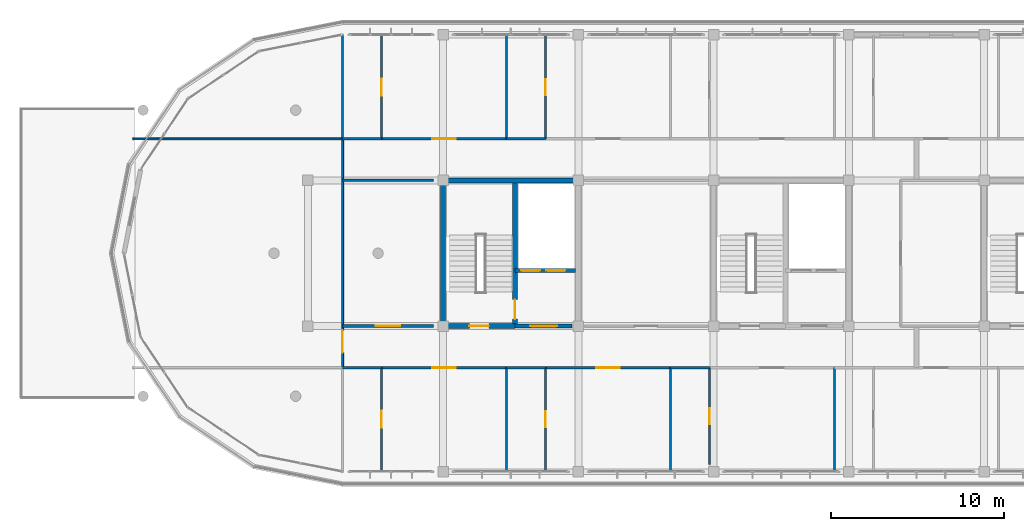
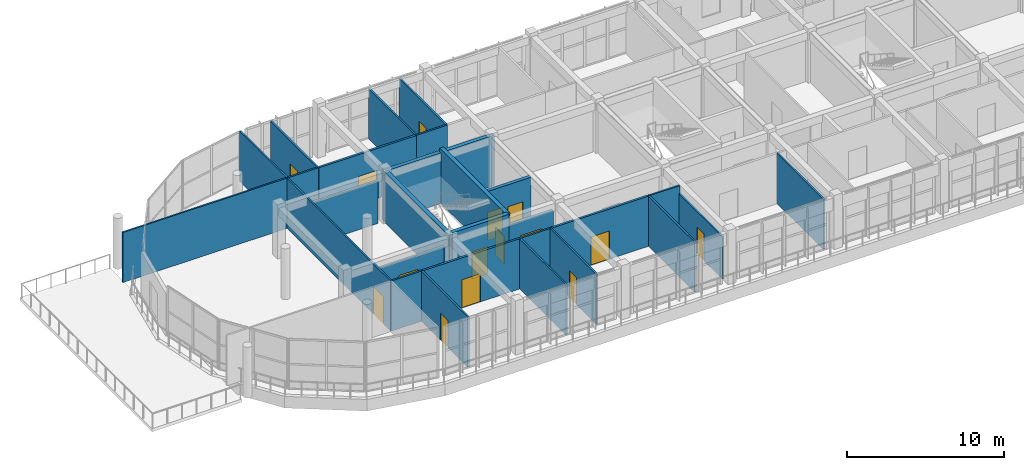
# One storey, part 42 of 50: 28 walls, 15 doors, 15 openings.
"""IFC4 building model written with IfcOpenShell, lengths in metres."""

from ifc_helpers import new_model, si_unit, direction, frame, frame_2d, origin, place, context, subcontext, project, spatial, rectangle, extrude, material, layer, layer_set, type_object, element, fill, save


model = new_model("IFC4")

# Units and contexts
model_context = context("Model", 3, precision=1e-05, world=origin(), true_north=direction((0.0, 1.0)))
body_context = subcontext(model_context, "Body", "Model", "MODEL_VIEW")
ifc_project = project(units=[si_unit("LENGTHUNIT", "METRE"), si_unit("AREAUNIT", "SQUARE_METRE"), si_unit("VOLUMEUNIT", "CUBIC_METRE"), si_unit("PLANEANGLEUNIT", "RADIAN"), si_unit("MASSUNIT", "GRAM", prefix="KILO")], contexts=[model_context])

# Site, building, storey
site_placement = place(None, origin())
site = spatial("IfcSite", under=ifc_project, at=site_placement, CompositionType="ELEMENT")
building_placement = place(site_placement, origin())
building = spatial("IfcBuilding", under=site, at=building_placement, Name="Zizhar Promenade General Hospital", CompositionType="ELEMENT")
storey_placement = place(building_placement, frame((0.0, 0.0, 30.60009765625)))
storey = spatial("IfcBuildingStorey", under=building, at=storey_placement, Name="L07", CompositionType="ELEMENT", Elevation=30.60009765625)

# Wall, opening, door
ifc_material_1 = material(Name="Concrete C35/45", Category="concrete")
ifc_layer_1 = layer(ifc_material_1, 0.215087890625)
ifc_layer_set_1 = layer_set([ifc_layer_1], Name="Concrete C35/45")
wall_type_1 = type_object("IfcWallType", Name="IW-LOBBY-215", PredefinedType="STANDARD", material=ifc_layer_set_1)
wall_1_placement = place(storey_placement, frame((50.949951171875, 8.39990234375, 0.0), z_axis=(0.0, 0.0, 1.0), x_axis=(1.0, 0.0, 0.0)))
wall_1 = element("IfcWall", 1, at=wall_1_placement, inside=storey, type_object=wall_type_1, Name="Core C2 Lift Lobby South Fire Wall (L07)", PredefinedType="STANDARD", context=body_context, shape_type="SweptSolid", body=[
    extrude(rectangle(XDim=3.2900390625, YDim=0.215087890625, at=frame_2d((1.64501953125, 0.0))), origin(), (0.0, 0.0, 1.0), 3.304931640625),
])
opening_1_placement = place(wall_1_placement, frame((0.864990234375, 0.0, 0.0)))
opening_1 = element("IfcOpeningElement", 2, at=opening_1_placement, cuts=wall_1, Name="Opening D-22", PredefinedType="OPENING", context=body_context, shape_type="SweptSolid", body=[
    extrude(rectangle(XDim=1.56005859375, YDim=2.199951171875, at=frame_2d((0.780029296875, 1.10009765625))), frame((0.0, 0.11767578125, 0.0), z_axis=(0.0, -1.0, 0.0), x_axis=(1.0, 0.0, 0.0)), (0.0, 0.0, 1.0), 0.235107421875),
])
ifc_material_2 = material(Name="Steel S355 firefighting lobby pair", Category="steel")
door_type_1 = type_object("IfcDoorType", Name="DR-LOBBY-FF-156x220", OperationType="DOUBLE_DOOR_SINGLE_SWING", PredefinedType="DOOR", material=ifc_material_2)
door_1_placement = place(opening_1_placement, origin())
door_1 = element("IfcDoor", 3, at=door_1_placement, inside=storey, type_object=door_type_1, Name="Core C2 Firefighting Lift Lobby Door (L07)", OperationType="DOUBLE_DOOR_SINGLE_SWING", OverallHeight=2.199951171875, OverallWidth=1.56005859375, PredefinedType="DOOR", context=body_context, shape_type="SweptSolid", body=[
    extrude(rectangle(XDim=1.56005859375, YDim=2.199951171875, at=frame_2d((0.780029296875, 1.10009765625))), frame((0.0, 0.02490234375, 0.0), z_axis=(0.0, -1.0, 0.0), x_axis=(1.0, 0.0, 0.0)), (0.0, 0.0, 1.0), 0.050048828125),
])
fill(opening_1, door_1)

# Wall, openings, doors
ifc_material_3 = material(Name="Concrete C35/45", Category="concrete")
ifc_layer_2 = layer(ifc_material_3, 0.25)
ifc_layer_set_2 = layer_set([ifc_layer_2], Name="Concrete C35/45")
wall_type_2 = type_object("IfcWallType", Name="IW-SHAFT-250", PredefinedType="STANDARD", material=ifc_layer_set_2)
wall_2_placement = place(storey_placement, frame((50.949951171875, 11.60009765625, 0.0), z_axis=(0.0, 0.0, 1.0), x_axis=(1.0, 0.0, 0.0)))
wall_2 = element("IfcWall", 4, at=wall_2_placement, inside=storey, type_object=wall_type_2, Name="Core C2 Lift Shaft Landing Wall (L07)", PredefinedType="STANDARD", context=body_context, shape_type="SweptSolid", body=[
    extrude(rectangle(XDim=3.5, YDim=0.25, at=frame_2d((1.75, 0.0))), origin(), (0.0, 0.0, 1.0), 3.89990234375),
])
opening_2_placement = place(wall_2_placement, frame((0.35009765625, 0.0, 0.0)))
opening_2 = element("IfcOpeningElement", 5, at=opening_2_placement, cuts=wall_2, Name="Opening LD-11", PredefinedType="OPENING", context=body_context, shape_type="SweptSolid", body=[
    extrude(rectangle(XDim=1.10009765625, YDim=2.199951171875, at=frame_2d((0.550048828125, 1.10009765625))), frame((0.0, 0.135009765625, 0.0), z_axis=(0.0, -1.0, 0.0), x_axis=(1.0, 0.0, 0.0)), (0.0, 0.0, 1.0), 0.27001953125),
])
opening_3_placement = place(wall_2_placement, frame((1.800048828125, 0.0, 0.0)))
opening_3 = element("IfcOpeningElement", 6, at=opening_3_placement, cuts=wall_2, Name="Opening LD-11", PredefinedType="OPENING", context=body_context, shape_type="SweptSolid", body=[
    extrude(rectangle(XDim=1.10009765625, YDim=2.199951171875, at=frame_2d((0.550048828125, 1.10009765625))), frame((0.0, 0.135009765625, 0.0), z_axis=(0.0, -1.0, 0.0), x_axis=(1.0, 0.0, 0.0)), (0.0, 0.0, 1.0), 0.27001953125),
])
ifc_material_4 = material(Name="Stainless Steel S355 passenger lift landing door", Category="steel")
door_type_2 = type_object("IfcDoorType", Name="DR-LIFT-LD11", OperationType="SLIDING_TO_LEFT", PredefinedType="DOOR", material=ifc_material_4)
door_2_placement = place(opening_2_placement, origin())
door_2 = element("IfcDoor", 7, at=door_2_placement, inside=storey, type_object=door_type_2, Name="Lift LF-01 Sliding Landing Door (L07)", OperationType="SLIDING_TO_LEFT", OverallHeight=2.199951171875, OverallWidth=1.10009765625, PredefinedType="DOOR", context=body_context, shape_type="SweptSolid", body=[
    extrude(rectangle(XDim=1.10009765625, YDim=2.199951171875, at=frame_2d((0.550048828125, 1.10009765625))), frame((0.0, 0.02490234375, 0.0), z_axis=(0.0, -1.0, 0.0), x_axis=(1.0, 0.0, 0.0)), (0.0, 0.0, 1.0), 0.050048828125),
])
fill(opening_2, door_2)
door_3_placement = place(opening_3_placement, origin())
door_3 = element("IfcDoor", 8, at=door_3_placement, inside=storey, type_object=door_type_2, Name="Lift LB-01 Sliding Landing Door (L07)", OperationType="SLIDING_TO_LEFT", OverallHeight=2.199951171875, OverallWidth=1.10009765625, PredefinedType="DOOR", context=body_context, shape_type="SweptSolid", body=[
    extrude(rectangle(XDim=1.10009765625, YDim=2.199951171875, at=frame_2d((0.550048828125, 1.10009765625))), frame((0.0, 0.02490234375, 0.0), z_axis=(0.0, -1.0, 0.0), x_axis=(1.0, 0.0, 0.0)), (0.0, 0.0, 1.0), 0.050048828125),
])
fill(opening_3, door_3)

# Wall
ifc_material_5 = material(Name="Clean utility gypsum partition")
ifc_layer_3 = layer(ifc_material_5, 0.114990234375)
ifc_layer_set_3 = layer_set([ifc_layer_3], Name="Clean utility gypsum partition")
wall_type_3 = type_object("IfcWallType", Name="IW-STR-115", PredefinedType="PARTITIONING", material=ifc_layer_set_3)
wall_3_placement = place(storey_placement, frame((28.89990234375, 19.199951171875, 0.0), z_axis=(0.0, 0.0, 1.0), x_axis=(1.0, 0.0, 0.0)))
element("IfcWall", 9, at=wall_3_placement, inside=storey, type_object=wall_type_3, Name="West Patient Recovery Solarium L07 N Partition", PredefinedType="PARTITIONING", context=body_context, shape_type="SweptSolid", body=[
    extrude(rectangle(XDim=12.10009765625, YDim=0.114990234375, at=frame_2d((6.050048828125, 0.0))), origin(), (0.0, 0.0, 1.0), 3.89990234375),
])

# Wall, opening, door
wall_4_placement = place(storey_placement, frame((41.0, 6.0, 0.0), z_axis=(0.0, 0.0, 1.0), x_axis=(0.0, 1.0, 0.0)))
wall_4 = element("IfcWall", 10, at=wall_4_placement, inside=storey, type_object=wall_type_3, Name="West Patient Recovery Solarium L07 E Partition", PredefinedType="PARTITIONING", context=body_context, shape_type="SweptSolid", body=[
    extrude(rectangle(XDim=13.199951171875, YDim=0.114990234375, at=frame_2d((6.60009765625, 0.0))), origin(), (0.0, 0.0, 1.0), 3.89990234375),
])
opening_4_placement = place(wall_4_placement, frame((0.85009765625, 0.0, 0.0)))
opening_4 = element("IfcOpeningElement", 11, at=opening_4_placement, cuts=wall_4, Name="Opening D-26", PredefinedType="OPENING", context=body_context, shape_type="SweptSolid", body=[
    extrude(rectangle(XDim=1.320068359375, YDim=2.14990234375, at=frame_2d((0.66015625, 1.074951171875))), frame((0.0, 0.0673828125, 0.0), z_axis=(0.0, -1.0, 0.0), x_axis=(1.0, 0.0, 0.0)), (0.0, 0.0, 1.0), 0.135009765625),
])
ifc_material_6 = material(Name="Fire-rated timber store leaf", Category="wood")
door_type_3 = type_object("IfcDoorType", Name="DR-STORE-132x215", OperationType="NOTDEFINED", PredefinedType="DOOR", material=ifc_material_6)
door_4_placement = place(opening_4_placement, origin())
door_4 = element("IfcDoor", 12, at=door_4_placement, inside=storey, type_object=door_type_3, Name="West Patient Recovery Solarium L07 Door", OperationType="SINGLE_SWING_RIGHT", OverallHeight=2.14990234375, OverallWidth=1.320068359375, PredefinedType="DOOR", context=body_context, shape_type="SweptSolid", body=[
    extrude(rectangle(XDim=1.320068359375, YDim=2.14990234375, at=frame_2d((0.66015625, 1.074951171875))), frame((0.0, 0.02490234375, 0.0), z_axis=(0.0, -1.0, 0.0), x_axis=(1.0, 0.0, 0.0)), (0.0, 0.0, 1.0), 0.050048828125),
])
fill(opening_4, door_4)

ifc_material_7 = material(Name="Acoustic patient bedroom partition")
ifc_layer_4 = layer(ifc_material_7, 0.155029296875)
ifc_layer_set_4 = layer_set([ifc_layer_4], Name="Acoustic patient bedroom partition")
wall_type_4 = type_object("IfcWallType", Name="IW-WARD-155", PredefinedType="PARTITIONING", material=ifc_layer_set_4)
wall_5_placement = place(storey_placement, frame((43.260009765625, 6.0, 0.0), z_axis=(0.0, 0.0, 1.0), x_axis=(1.0, 0.0, 0.0)))
wall_5 = element("IfcWall", 13, at=wall_5_placement, inside=storey, type_object=wall_type_4, Name="Maternity Inpatient Ward L07-S01 N Partition", PredefinedType="PARTITIONING", context=body_context, shape_type="SweptSolid", body=[
    extrude(rectangle(XDim=7.18701171875, YDim=0.155029296875, at=frame_2d((3.593505859375, 0.0))), origin(), (0.0, 0.0, 1.0), 3.89990234375),
])
opening_5_placement = place(wall_5_placement, frame((2.91845703125, 0.0, 0.0)))
opening_5 = element("IfcOpeningElement", 14, at=opening_5_placement, cuts=wall_5, Name="Opening D-08", PredefinedType="OPENING", context=body_context, shape_type="SweptSolid", body=[
    extrude(rectangle(XDim=1.35009765625, YDim=2.199951171875, at=frame_2d((0.675048828125, 1.10009765625))), frame((0.0, 0.08740234375, 0.0), z_axis=(0.0, -1.0, 0.0), x_axis=(1.0, 0.0, 0.0)), (0.0, 0.0, 1.0), 0.175048828125),
])
ifc_material_8 = material(Name="Fire-rated timber maternity bed leaf", Category="wood")
door_type_4 = type_object("IfcDoorType", Name="DR-BED-MAT-135x220", OperationType="NOTDEFINED", PredefinedType="DOOR", material=ifc_material_8)
door_5_placement = place(opening_5_placement, origin())
door_5 = element("IfcDoor", 15, at=door_5_placement, inside=storey, type_object=door_type_4, Name="Maternity Inpatient Ward L07-S01 Door", OperationType="SINGLE_SWING_RIGHT", OverallHeight=2.199951171875, OverallWidth=1.35009765625, PredefinedType="DOOR", context=body_context, shape_type="SweptSolid", body=[
    extrude(rectangle(XDim=1.35009765625, YDim=2.199951171875, at=frame_2d((0.675048828125, 1.10009765625))), frame((0.0, 0.02490234375, 0.0), z_axis=(0.0, -1.0, 0.0), x_axis=(1.0, 0.0, 0.0)), (0.0, 0.0, 1.0), 0.050048828125),
])
fill(opening_5, door_5)

wall_6_placement = place(storey_placement, frame((43.260009765625, 19.199951171875, 0.0), z_axis=(0.0, 0.0, 1.0), x_axis=(1.0, 0.0, 0.0)))
wall_6 = element("IfcWall", 16, at=wall_6_placement, inside=storey, type_object=wall_type_4, Name="Maternity Inpatient Ward L07-N01 S Partition", PredefinedType="PARTITIONING", context=body_context, shape_type="SweptSolid", body=[
    extrude(rectangle(XDim=7.18701171875, YDim=0.155029296875, at=frame_2d((3.593505859375, 0.0))), origin(), (0.0, 0.0, 1.0), 3.89990234375),
])
opening_6_placement = place(wall_6_placement, frame((2.91845703125, 0.0, 0.0)))
opening_6 = element("IfcOpeningElement", 17, at=opening_6_placement, cuts=wall_6, Name="Opening D-08", PredefinedType="OPENING", context=body_context, shape_type="SweptSolid", body=[
    extrude(rectangle(XDim=1.35009765625, YDim=2.199951171875, at=frame_2d((0.675048828125, 1.10009765625))), frame((0.0, 0.08740234375, 0.0), z_axis=(0.0, -1.0, 0.0), x_axis=(1.0, 0.0, 0.0)), (0.0, 0.0, 1.0), 0.175048828125),
])
door_6_placement = place(opening_6_placement, origin())
door_6 = element("IfcDoor", 18, at=door_6_placement, inside=storey, type_object=door_type_4, Name="Maternity Inpatient Ward L07-N01 Door", OperationType="SINGLE_SWING_LEFT", OverallHeight=2.199951171875, OverallWidth=1.35009765625, PredefinedType="DOOR", context=body_context, shape_type="SweptSolid", body=[
    extrude(rectangle(XDim=1.35009765625, YDim=2.199951171875, at=frame_2d((0.675048828125, 1.10009765625))), frame((0.0, 0.02490234375, 0.0), z_axis=(0.0, -1.0, 0.0), x_axis=(1.0, 0.0, 0.0)), (0.0, 0.0, 1.0), 0.050048828125),
])
fill(opening_6, door_6)

wall_7_placement = place(storey_placement, frame((52.717041015625, 6.0, 0.0), z_axis=(0.0, 0.0, 1.0), x_axis=(1.0, 0.0, 0.0)))
wall_7 = element("IfcWall", 19, at=wall_7_placement, inside=storey, type_object=wall_type_4, Name="Neonatal Care Nursery Suite L07-S02 N Partition", PredefinedType="PARTITIONING", context=body_context, shape_type="SweptSolid", body=[
    extrude(rectangle(XDim=7.18701171875, YDim=0.155029296875, at=frame_2d((3.593505859375, 0.0))), origin(), (0.0, 0.0, 1.0), 3.89990234375),
])
opening_7_placement = place(wall_7_placement, frame((2.91845703125, 0.0, 0.0)))
opening_7 = element("IfcOpeningElement", 20, at=opening_7_placement, cuts=wall_7, Name="Opening D-08", PredefinedType="OPENING", context=body_context, shape_type="SweptSolid", body=[
    extrude(rectangle(XDim=1.35009765625, YDim=2.199951171875, at=frame_2d((0.675048828125, 1.10009765625))), frame((0.0, 0.08740234375, 0.0), z_axis=(0.0, -1.0, 0.0), x_axis=(1.0, 0.0, 0.0)), (0.0, 0.0, 1.0), 0.175048828125),
])
door_7_placement = place(opening_7_placement, origin())
door_7 = element("IfcDoor", 21, at=door_7_placement, inside=storey, type_object=door_type_4, Name="Neonatal Care Nursery Suite L07-S02 Door", OperationType="SINGLE_SWING_RIGHT", OverallHeight=2.199951171875, OverallWidth=1.35009765625, PredefinedType="DOOR", context=body_context, shape_type="SweptSolid", body=[
    extrude(rectangle(XDim=1.35009765625, YDim=2.199951171875, at=frame_2d((0.675048828125, 1.10009765625))), frame((0.0, 0.02490234375, 0.0), z_axis=(0.0, -1.0, 0.0), x_axis=(1.0, 0.0, 0.0)), (0.0, 0.0, 1.0), 0.050048828125),
])
fill(opening_7, door_7)

wall_8_placement = place(storey_placement, frame((41.010009765625, 8.39990234375, 0.0), z_axis=(0.0, 0.0, 1.0), x_axis=(1.0, 0.0, 0.0)))
wall_8 = element("IfcWall", 22, at=wall_8_placement, inside=storey, type_object=wall_type_4, Name="Ward Clinical Examination Room L07 S Partition", PredefinedType="PARTITIONING", context=body_context, shape_type="SweptSolid", body=[
    extrude(rectangle(XDim=5.22998046875, YDim=0.155029296875, at=frame_2d((2.614990234375, 0.0))), origin(), (0.0, 0.0, 1.0), 3.304931640625),
])
opening_8_placement = place(wall_8_placement, frame((1.9150390625, 0.0, 0.0)))
opening_8 = element("IfcOpeningElement", 23, at=opening_8_placement, cuts=wall_8, Name="Opening D-06", PredefinedType="OPENING", context=body_context, shape_type="SweptSolid", body=[
    extrude(rectangle(XDim=1.39990234375, YDim=2.199951171875, at=frame_2d((0.699951171875, 1.10009765625))), frame((0.0, 0.08740234375, 0.0), z_axis=(0.0, -1.0, 0.0), x_axis=(1.0, 0.0, 0.0)), (0.0, 0.0, 1.0), 0.175048828125),
])
ifc_material_9 = material(Name="Fire-rated timber hospital bed leaf", Category="wood")
door_type_5 = type_object("IfcDoorType", Name="DR-BED-WARD-140x220", OperationType="NOTDEFINED", PredefinedType="DOOR", material=ifc_material_9)
door_8_placement = place(opening_8_placement, origin())
door_8 = element("IfcDoor", 24, at=door_8_placement, inside=storey, type_object=door_type_5, Name="Ward Clinical Examination Room L07 Door", OperationType="SINGLE_SWING_RIGHT", OverallHeight=2.199951171875, OverallWidth=1.39990234375, PredefinedType="DOOR", context=body_context, shape_type="SweptSolid", body=[
    extrude(rectangle(XDim=1.39990234375, YDim=2.199951171875, at=frame_2d((0.699951171875, 1.10009765625))), frame((0.0, 0.02490234375, 0.0), z_axis=(0.0, -1.0, 0.0), x_axis=(1.0, 0.0, 0.0)), (0.0, 0.0, 1.0), 0.050048828125),
])
fill(opening_8, door_8)

# Walls
wall_9_placement = place(storey_placement, frame((41.010009765625, 16.800048828125, 0.0), z_axis=(0.0, 0.0, 1.0), x_axis=(1.0, 0.0, 0.0)))
element("IfcWall", 25, at=wall_9_placement, inside=storey, type_object=wall_type_4, Name="Ward Clinical Examination Room L07 N Partition", PredefinedType="PARTITIONING", context=body_context, shape_type="SweptSolid", body=[
    extrude(rectangle(XDim=5.22998046875, YDim=0.155029296875, at=frame_2d((2.614990234375, 0.0))), origin(), (0.0, 0.0, 1.0), 3.304931640625),
])
ifc_material_10 = material(Name="Moisture-resistant en-suite wet partition")
ifc_layer_5 = layer(ifc_material_10, 0.125)
ifc_layer_set_5 = layer_set([ifc_layer_5], Name="Moisture-resistant en-suite wet partition")
wall_type_5 = type_object("IfcWallType", Name="IW-WET-125", PredefinedType="PARTITIONING", material=ifc_layer_set_5)
wall_10_placement = place(storey_placement, frame((41.0, 6.0, 0.0), z_axis=(0.0, 0.0, 1.0), x_axis=(1.0, 0.0, 0.0)))
element("IfcWall", 26, at=wall_10_placement, inside=storey, type_object=wall_type_5, Name="En-Suite Patient Bathroom L07-S01 N Partition", PredefinedType="PARTITIONING", context=body_context, shape_type="SweptSolid", body=[
    extrude(rectangle(XDim=2.25, YDim=0.125, at=frame_2d((1.125, 0.0))), origin(), (0.0, 0.0, 1.0), 3.89990234375),
])

# Wall, opening, door
wall_11_placement = place(storey_placement, frame((43.25, 0.044921875, 0.0), z_axis=(0.0, 0.0, 1.0), x_axis=(0.0, 1.0, 0.0)))
wall_11 = element("IfcWall", 27, at=wall_11_placement, inside=storey, type_object=wall_type_5, Name="En-Suite Patient Bathroom L07-S01 E Partition", PredefinedType="PARTITIONING", context=body_context, shape_type="SweptSolid", body=[
    extrude(rectangle(XDim=5.955078125, YDim=0.125, at=frame_2d((2.9775390625, 0.0))), origin(), (0.0, 0.0, 1.0), 3.89990234375),
])
opening_9_placement = place(wall_11_placement, frame((2.487548828125, 0.0, 0.0)))
opening_9 = element("IfcOpeningElement", 28, at=opening_9_placement, cuts=wall_11, Name="Opening D-17", PredefinedType="OPENING", context=body_context, shape_type="SweptSolid", body=[
    extrude(rectangle(XDim=0.97998046875, YDim=2.10009765625, at=frame_2d((0.489990234375, 1.050048828125))), frame((0.0, 0.072509765625, 0.0), z_axis=(0.0, -1.0, 0.0), x_axis=(1.0, 0.0, 0.0)), (0.0, 0.0, 1.0), 0.14501953125),
])
ifc_material_11 = material(Name="Moisture-resistant timber PMR leaf", Category="wood")
door_type_6 = type_object("IfcDoorType", Name="DR-ENS-PMR-098x210", OperationType="NOTDEFINED", PredefinedType="DOOR", material=ifc_material_11)
door_9_placement = place(opening_9_placement, origin())
door_9 = element("IfcDoor", 29, at=door_9_placement, inside=storey, type_object=door_type_6, Name="En-Suite Patient Bathroom L07-S01 Door", OperationType="SINGLE_SWING_RIGHT", OverallHeight=2.10009765625, OverallWidth=0.97998046875, PredefinedType="DOOR", context=body_context, shape_type="SweptSolid", body=[
    extrude(rectangle(XDim=0.97998046875, YDim=2.10009765625, at=frame_2d((0.489990234375, 1.050048828125))), frame((0.0, 0.02490234375, 0.0), z_axis=(0.0, -1.0, 0.0), x_axis=(1.0, 0.0, 0.0)), (0.0, 0.0, 1.0), 0.050048828125),
])
fill(opening_9, door_9)

# Walls
wall_12_placement = place(storey_placement, frame((41.0, 19.199951171875, 0.0), z_axis=(0.0, 0.0, 1.0), x_axis=(1.0, 0.0, 0.0)))
element("IfcWall", 30, at=wall_12_placement, inside=storey, type_object=wall_type_5, Name="En-Suite Patient Bathroom L07-N01 S Partition", PredefinedType="PARTITIONING", context=body_context, shape_type="SweptSolid", body=[
    extrude(rectangle(XDim=2.25, YDim=0.125, at=frame_2d((1.125, 0.0))), origin(), (0.0, 0.0, 1.0), 3.89990234375),
])
wall_13_placement = place(storey_placement, frame((41.0, 19.199951171875, 0.0), z_axis=(0.0, 0.0, 1.0), x_axis=(0.0, 1.0, 0.0)))
element("IfcWall", 31, at=wall_13_placement, inside=storey, type_object=wall_type_5, Name="En-Suite Patient Bathroom L07-N01 W Partition", PredefinedType="PARTITIONING", context=body_context, shape_type="SweptSolid", body=[
    extrude(rectangle(XDim=5.955078125, YDim=0.125, at=frame_2d((2.9775390625, 0.0))), origin(), (0.0, 0.0, 1.0), 3.89990234375),
])

# Wall, opening, door
wall_14_placement = place(storey_placement, frame((43.25, 19.199951171875, 0.0), z_axis=(0.0, 0.0, 1.0), x_axis=(0.0, 1.0, 0.0)))
wall_14 = element("IfcWall", 32, at=wall_14_placement, inside=storey, type_object=wall_type_5, Name="En-Suite Patient Bathroom L07-N01 E Partition", PredefinedType="PARTITIONING", context=body_context, shape_type="SweptSolid", body=[
    extrude(rectangle(XDim=5.955078125, YDim=0.125, at=frame_2d((2.9775390625, 0.0))), origin(), (0.0, 0.0, 1.0), 3.89990234375),
])
opening_10_placement = place(wall_14_placement, frame((2.487548828125, 0.0, 0.0)))
opening_10 = element("IfcOpeningElement", 33, at=opening_10_placement, cuts=wall_14, Name="Opening D-17", PredefinedType="OPENING", context=body_context, shape_type="SweptSolid", body=[
    extrude(rectangle(XDim=0.97998046875, YDim=2.10009765625, at=frame_2d((0.489990234375, 1.050048828125))), frame((0.0, 0.072509765625, 0.0), z_axis=(0.0, -1.0, 0.0), x_axis=(1.0, 0.0, 0.0)), (0.0, 0.0, 1.0), 0.14501953125),
])
door_10_placement = place(opening_10_placement, origin())
door_10 = element("IfcDoor", 34, at=door_10_placement, inside=storey, type_object=door_type_6, Name="En-Suite Patient Bathroom L07-N01 Door", OperationType="SINGLE_SWING_LEFT", OverallHeight=2.10009765625, OverallWidth=0.97998046875, PredefinedType="DOOR", context=body_context, shape_type="SweptSolid", body=[
    extrude(rectangle(XDim=0.97998046875, YDim=2.10009765625, at=frame_2d((0.489990234375, 1.050048828125))), frame((0.0, 0.02490234375, 0.0), z_axis=(0.0, -1.0, 0.0), x_axis=(1.0, 0.0, 0.0)), (0.0, 0.0, 1.0), 0.050048828125),
])
fill(opening_10, door_10)

# Walls
wall_15_placement = place(storey_placement, frame((50.45703125, 6.0, 0.0), z_axis=(0.0, 0.0, 1.0), x_axis=(1.0, 0.0, 0.0)))
element("IfcWall", 35, at=wall_15_placement, inside=storey, type_object=wall_type_5, Name="En-Suite Patient Bathroom L07-S02 N Partition", PredefinedType="PARTITIONING", context=body_context, shape_type="SweptSolid", body=[
    extrude(rectangle(XDim=2.25, YDim=0.125, at=frame_2d((1.125, 0.0))), origin(), (0.0, 0.0, 1.0), 3.89990234375),
])
wall_16_placement = place(storey_placement, frame((50.45703125, 0.044921875, 0.0), z_axis=(0.0, 0.0, 1.0), x_axis=(0.0, 1.0, 0.0)))
element("IfcWall", 36, at=wall_16_placement, inside=storey, type_object=wall_type_5, Name="En-Suite Patient Bathroom L07-S02 W Partition", PredefinedType="PARTITIONING", context=body_context, shape_type="SweptSolid", body=[
    extrude(rectangle(XDim=5.955078125, YDim=0.125, at=frame_2d((2.9775390625, 0.0))), origin(), (0.0, 0.0, 1.0), 3.89990234375),
])

# Wall, opening, door
wall_17_placement = place(storey_placement, frame((52.70703125, 0.044921875, 0.0), z_axis=(0.0, 0.0, 1.0), x_axis=(0.0, 1.0, 0.0)))
wall_17 = element("IfcWall", 37, at=wall_17_placement, inside=storey, type_object=wall_type_5, Name="En-Suite Patient Bathroom L07-S02 E Partition", PredefinedType="PARTITIONING", context=body_context, shape_type="SweptSolid", body=[
    extrude(rectangle(XDim=5.955078125, YDim=0.125, at=frame_2d((2.9775390625, 0.0))), origin(), (0.0, 0.0, 1.0), 3.89990234375),
])
opening_11_placement = place(wall_17_placement, frame((2.517578125, 0.0, 0.0)))
opening_11 = element("IfcOpeningElement", 38, at=opening_11_placement, cuts=wall_17, Name="Opening D-18", PredefinedType="OPENING", context=body_context, shape_type="SweptSolid", body=[
    extrude(rectangle(XDim=0.919921875, YDim=2.10009765625, at=frame_2d((0.4599609375, 1.050048828125))), frame((0.0, 0.072509765625, 0.0), z_axis=(0.0, -1.0, 0.0), x_axis=(1.0, 0.0, 0.0)), (0.0, 0.0, 1.0), 0.14501953125),
])
ifc_material_12 = material(Name="Moisture-resistant timber en-suite leaf", Category="wood")
door_type_7 = type_object("IfcDoorType", Name="DR-ENS-STD-092x210", OperationType="NOTDEFINED", PredefinedType="DOOR", material=ifc_material_12)
door_11_placement = place(opening_11_placement, origin())
door_11 = element("IfcDoor", 39, at=door_11_placement, inside=storey, type_object=door_type_7, Name="En-Suite Patient Bathroom L07-S02 Door", OperationType="SINGLE_SWING_RIGHT", OverallHeight=2.10009765625, OverallWidth=0.919921875, PredefinedType="DOOR", context=body_context, shape_type="SweptSolid", body=[
    extrude(rectangle(XDim=0.919921875, YDim=2.10009765625, at=frame_2d((0.4599609375, 1.050048828125))), frame((0.0, 0.02490234375, 0.0), z_axis=(0.0, -1.0, 0.0), x_axis=(1.0, 0.0, 0.0)), (0.0, 0.0, 1.0), 0.050048828125),
])
fill(opening_11, door_11)

# Walls
wall_18_placement = place(storey_placement, frame((50.45703125, 19.199951171875, 0.0), z_axis=(0.0, 0.0, 1.0), x_axis=(1.0, 0.0, 0.0)))
element("IfcWall", 40, at=wall_18_placement, inside=storey, type_object=wall_type_5, Name="En-Suite Patient Bathroom L07-N02 S Partition", PredefinedType="PARTITIONING", context=body_context, shape_type="SweptSolid", body=[
    extrude(rectangle(XDim=2.25, YDim=0.125, at=frame_2d((1.125, 0.0))), origin(), (0.0, 0.0, 1.0), 3.89990234375),
])
wall_19_placement = place(storey_placement, frame((50.45703125, 19.199951171875, 0.0), z_axis=(0.0, 0.0, 1.0), x_axis=(0.0, 1.0, 0.0)))
element("IfcWall", 41, at=wall_19_placement, inside=storey, type_object=wall_type_5, Name="En-Suite Patient Bathroom L07-N02 W Partition", PredefinedType="PARTITIONING", context=body_context, shape_type="SweptSolid", body=[
    extrude(rectangle(XDim=5.955078125, YDim=0.125, at=frame_2d((2.9775390625, 0.0))), origin(), (0.0, 0.0, 1.0), 3.89990234375),
])

# Wall, opening, door
wall_20_placement = place(storey_placement, frame((52.70703125, 19.199951171875, 0.0), z_axis=(0.0, 0.0, 1.0), x_axis=(0.0, 1.0, 0.0)))
wall_20 = element("IfcWall", 42, at=wall_20_placement, inside=storey, type_object=wall_type_5, Name="En-Suite Patient Bathroom L07-N02 E Partition", PredefinedType="PARTITIONING", context=body_context, shape_type="SweptSolid", body=[
    extrude(rectangle(XDim=5.955078125, YDim=0.125, at=frame_2d((2.9775390625, 0.0))), origin(), (0.0, 0.0, 1.0), 3.89990234375),
])
opening_12_placement = place(wall_20_placement, frame((2.517578125, 0.0, 0.0)))
opening_12 = element("IfcOpeningElement", 43, at=opening_12_placement, cuts=wall_20, Name="Opening D-18", PredefinedType="OPENING", context=body_context, shape_type="SweptSolid", body=[
    extrude(rectangle(XDim=0.919921875, YDim=2.10009765625, at=frame_2d((0.4599609375, 1.050048828125))), frame((0.0, 0.072509765625, 0.0), z_axis=(0.0, -1.0, 0.0), x_axis=(1.0, 0.0, 0.0)), (0.0, 0.0, 1.0), 0.14501953125),
])
door_12_placement = place(opening_12_placement, origin())
door_12 = element("IfcDoor", 44, at=door_12_placement, inside=storey, type_object=door_type_7, Name="En-Suite Patient Bathroom L07-N02 Door", OperationType="SINGLE_SWING_LEFT", OverallHeight=2.10009765625, OverallWidth=0.919921875, PredefinedType="DOOR", context=body_context, shape_type="SweptSolid", body=[
    extrude(rectangle(XDim=0.919921875, YDim=2.10009765625, at=frame_2d((0.4599609375, 1.050048828125))), frame((0.0, 0.02490234375, 0.0), z_axis=(0.0, -1.0, 0.0), x_axis=(1.0, 0.0, 0.0)), (0.0, 0.0, 1.0), 0.050048828125),
])
fill(opening_12, door_12)

# Walls
wall_21_placement = place(storey_placement, frame((59.914306640625, 6.0, 0.0), z_axis=(0.0, 0.0, 1.0), x_axis=(1.0, 0.0, 0.0)))
element("IfcWall", 45, at=wall_21_placement, inside=storey, type_object=wall_type_5, Name="En-Suite Patient Bathroom L07-S03 N Partition", PredefinedType="PARTITIONING", context=body_context, shape_type="SweptSolid", body=[
    extrude(rectangle(XDim=2.25, YDim=0.125, at=frame_2d((1.125, 0.0))), origin(), (0.0, 0.0, 1.0), 3.89990234375),
])
wall_22_placement = place(storey_placement, frame((59.914306640625, 0.044921875, 0.0), z_axis=(0.0, 0.0, 1.0), x_axis=(0.0, 1.0, 0.0)))
element("IfcWall", 46, at=wall_22_placement, inside=storey, type_object=wall_type_5, Name="En-Suite Patient Bathroom L07-S03 W Partition", PredefinedType="PARTITIONING", context=body_context, shape_type="SweptSolid", body=[
    extrude(rectangle(XDim=5.955078125, YDim=0.125, at=frame_2d((2.9775390625, 0.0))), origin(), (0.0, 0.0, 1.0), 3.89990234375),
])

# Wall, opening, door
wall_23_placement = place(storey_placement, frame((62.164306640625, 0.405029296875, 0.0), z_axis=(0.0, 0.0, 1.0), x_axis=(0.0, 1.0, 0.0)))
wall_23 = element("IfcWall", 47, at=wall_23_placement, inside=storey, type_object=wall_type_5, Name="En-Suite Patient Bathroom L07-S03 E Partition", PredefinedType="PARTITIONING", context=body_context, shape_type="SweptSolid", body=[
    extrude(rectangle(XDim=5.594970703125, YDim=0.125, at=frame_2d((2.79736328125, 0.0))), origin(), (0.0, 0.0, 1.0), 3.304931640625),
])
opening_13_placement = place(wall_23_placement, frame((2.33740234375, 0.0, 0.0)))
opening_13 = element("IfcOpeningElement", 48, at=opening_13_placement, cuts=wall_23, Name="Opening D-18", PredefinedType="OPENING", context=body_context, shape_type="SweptSolid", body=[
    extrude(rectangle(XDim=0.919921875, YDim=2.10009765625, at=frame_2d((0.4599609375, 1.050048828125))), frame((0.0, 0.072509765625, 0.0), z_axis=(0.0, -1.0, 0.0), x_axis=(1.0, 0.0, 0.0)), (0.0, 0.0, 1.0), 0.14501953125),
])
door_13_placement = place(opening_13_placement, origin())
door_13 = element("IfcDoor", 49, at=door_13_placement, inside=storey, type_object=door_type_7, Name="En-Suite Patient Bathroom L07-S03 Door", OperationType="SINGLE_SWING_RIGHT", OverallHeight=2.10009765625, OverallWidth=0.919921875, PredefinedType="DOOR", context=body_context, shape_type="SweptSolid", body=[
    extrude(rectangle(XDim=0.919921875, YDim=2.10009765625, at=frame_2d((0.4599609375, 1.050048828125))), frame((0.0, 0.02490234375, 0.0), z_axis=(0.0, -1.0, 0.0), x_axis=(1.0, 0.0, 0.0)), (0.0, 0.0, 1.0), 0.050048828125),
])
fill(opening_13, door_13)

# Walls
wall_24_placement = place(storey_placement, frame((69.371337890625, 0.044921875, 0.0), z_axis=(0.0, 0.0, 1.0), x_axis=(0.0, 1.0, 0.0)))
element("IfcWall", 50, at=wall_24_placement, inside=storey, type_object=wall_type_5, Name="En-Suite Patient Bathroom L07-S04 W Partition", PredefinedType="PARTITIONING", context=body_context, shape_type="SweptSolid", body=[
    extrude(rectangle(XDim=5.955078125, YDim=0.125, at=frame_2d((2.9775390625, 0.0))), origin(), (0.0, 0.0, 1.0), 3.89990234375),
])
ifc_material_13 = material(Name="Concrete C40/50", Category="concrete")
ifc_layer_6 = layer(ifc_material_13, 0.300048828125)
ifc_layer_set_6 = layer_set([ifc_layer_6], Name="Concrete C40/50")
wall_type_6 = type_object("IfcWallType", Name="WL-CORE-300", PredefinedType="SHEAR", material=ifc_layer_set_6)
wall_25_placement = place(storey_placement, frame((46.64990234375, 16.800048828125, 0.0), z_axis=(0.0, 0.0, 1.0), x_axis=(1.0, 0.0, 0.0)))
element("IfcWall", 51, at=wall_25_placement, inside=storey, type_object=wall_type_6, Name="Core C2 North Shear Wall L07", PredefinedType="SHEAR", context=body_context, shape_type="SweptSolid", body=[
    extrude(rectangle(XDim=8.10009765625, YDim=0.300048828125, at=frame_2d((4.050048828125, 0.0))), origin(), (0.0, 0.0, 1.0), 3.919921875),
])
wall_26_placement = place(storey_placement, frame((46.800048828125, 8.39990234375, 0.0), z_axis=(0.0, 0.0, 1.0), x_axis=(0.0, 1.0, 0.0)))
element("IfcWall", 52, at=wall_26_placement, inside=storey, type_object=wall_type_6, Name="Core C2 West Shear Wall L07", PredefinedType="SHEAR", context=body_context, shape_type="SweptSolid", body=[
    extrude(rectangle(XDim=8.400146484375, YDim=0.300048828125, at=frame_2d((4.2001953125, 0.0))), origin(), (0.0, 0.0, 1.0), 3.919921875),
])

# Wall, opening, door
wall_27_placement = place(storey_placement, frame((46.800048828125, 8.39990234375, 0.0), z_axis=(0.0, 0.0, 1.0), x_axis=(1.0, 0.0, 0.0)))
wall_27 = element("IfcWall", 53, at=wall_27_placement, inside=storey, type_object=wall_type_6, Name="Core C2 Stair South Fire Wall (L07)", PredefinedType="SHEAR", context=body_context, shape_type="SweptSolid", body=[
    extrude(rectangle(XDim=4.14990234375, YDim=0.300048828125, at=frame_2d((2.074951171875, 0.0))), origin(), (0.0, 0.0, 1.0), 4.199951171875),
])
opening_14_placement = place(wall_27_placement, frame((1.514892578125, 0.0, 0.0)))
opening_14 = element("IfcOpeningElement", 54, at=opening_14_placement, cuts=wall_27, Name="Opening D-21", PredefinedType="OPENING", context=body_context, shape_type="SweptSolid", body=[
    extrude(rectangle(XDim=1.1201171875, YDim=2.14990234375, at=frame_2d((0.56005859375, 1.074951171875))), frame((0.0, 0.16015625, 0.0), z_axis=(0.0, -1.0, 0.0), x_axis=(1.0, 0.0, 0.0)), (0.0, 0.0, 1.0), 0.320068359375),
])
ifc_material_14 = material(Name="Steel S355 protected stair door", Category="steel")
door_type_8 = type_object("IfcDoorType", Name="DR-STAIR-112x215", OperationType="NOTDEFINED", PredefinedType="DOOR", material=ifc_material_14)
door_14_placement = place(opening_14_placement, origin())
door_14 = element("IfcDoor", 55, at=door_14_placement, inside=storey, type_object=door_type_8, Name="Exit Stair ST-02 Door (L07)", OperationType="SINGLE_SWING_LEFT", OverallHeight=2.14990234375, OverallWidth=1.1201171875, PredefinedType="DOOR", context=body_context, shape_type="SweptSolid", body=[
    extrude(rectangle(XDim=1.1201171875, YDim=2.14990234375, at=frame_2d((0.56005859375, 1.074951171875))), frame((0.0, 0.02490234375, 0.0), z_axis=(0.0, -1.0, 0.0), x_axis=(1.0, 0.0, 0.0)), (0.0, 0.0, 1.0), 0.050048828125),
])
fill(opening_14, door_14)

wall_28_placement = place(storey_placement, frame((50.949951171875, 8.39990234375, 0.0), z_axis=(0.0, 0.0, 1.0), x_axis=(0.0, 1.0, 0.0)))
wall_28 = element("IfcWall", 56, at=wall_28_placement, inside=storey, type_object=wall_type_6, Name="Core C2 Stair-Shaft Separation Wall (L07)", PredefinedType="SHEAR", context=body_context, shape_type="SweptSolid", body=[
    extrude(rectangle(XDim=8.400146484375, YDim=0.300048828125, at=frame_2d((4.2001953125, 0.0))), origin(), (0.0, 0.0, 1.0), 4.199951171875),
])
opening_15_placement = place(wall_28_placement, frame((0.39990234375, 0.0, 0.0)))
opening_15 = element("IfcOpeningElement", 57, at=opening_15_placement, cuts=wall_28, Name="Opening D-21", PredefinedType="OPENING", context=body_context, shape_type="SweptSolid", body=[
    extrude(rectangle(XDim=1.1201171875, YDim=2.14990234375, at=frame_2d((0.56005859375, 1.074951171875))), frame((0.0, 0.16015625, 0.0), z_axis=(0.0, -1.0, 0.0), x_axis=(1.0, 0.0, 0.0)), (0.0, 0.0, 1.0), 0.320068359375),
])
door_15_placement = place(opening_15_placement, origin())
door_15 = element("IfcDoor", 58, at=door_15_placement, inside=storey, type_object=door_type_8, Name="Firefighting Lobby to Stair ST-02 Door (L07)", OperationType="SINGLE_SWING_RIGHT", OverallHeight=2.14990234375, OverallWidth=1.1201171875, PredefinedType="DOOR", context=body_context, shape_type="SweptSolid", body=[
    extrude(rectangle(XDim=1.1201171875, YDim=2.14990234375, at=frame_2d((0.56005859375, 1.074951171875))), frame((0.0, 0.02490234375, 0.0), z_axis=(0.0, -1.0, 0.0), x_axis=(1.0, 0.0, 0.0)), (0.0, 0.0, 1.0), 0.050048828125),
])
fill(opening_15, door_15)

save(model, "model.ifc")
